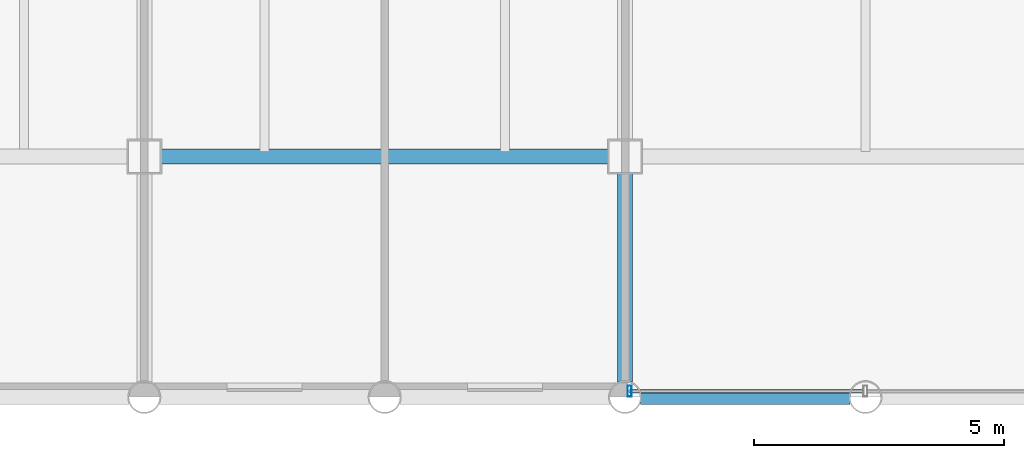
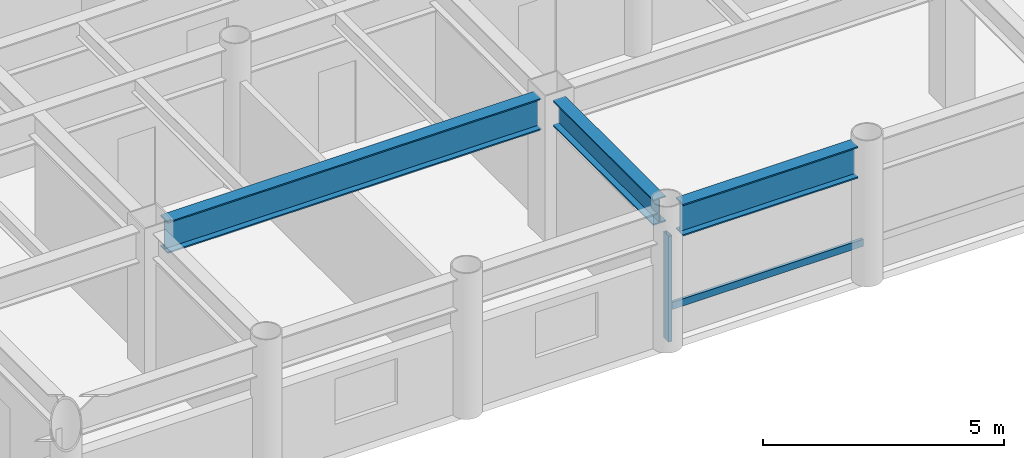
# One storey, part 2 of 19: 3 beams, 2 members, 1 element without a shape of its own.
"""IFC4 building model written with IfcOpenShell, lengths in metres."""

from ifc_helpers import new_model, si_unit, direction, frame, origin, origin_2d, place, context, subcontext, project, spatial, hollow_rectangle, i_section, extrude, material, layer, layer_set, material_profile, profile_set, type_object, element, aggregate, save


model = new_model("IFC4")

# Units and contexts
model_context = context("Model", 3, precision=1e-05, world=origin(), true_north=direction((0.0, 1.0)))
body_context = subcontext(model_context, "Body", "Model", "MODEL_VIEW")
ifc_project = project(units=[si_unit("LENGTHUNIT", "METRE"), si_unit("AREAUNIT", "SQUARE_METRE"), si_unit("VOLUMEUNIT", "CUBIC_METRE"), si_unit("PLANEANGLEUNIT", "RADIAN"), si_unit("MASSUNIT", "GRAM", prefix="KILO")], contexts=[model_context])

# Site, building, storey
site_placement = place(None, origin())
site = spatial("IfcSite", under=ifc_project, at=site_placement, CompositionType="ELEMENT")
building_placement = place(site_placement, origin())
building = spatial("IfcBuilding", under=site, at=building_placement, Name="Kallvorn Hotel Tower", CompositionType="ELEMENT")
storey_placement = place(building_placement, frame((0.0, 0.0, 147.0)))
storey = spatial("IfcBuildingStorey", under=building, at=storey_placement, Name="L36", CompositionType="ELEMENT", Elevation=147.0)

# Beams
ifc_material_1 = material(Name="Structural steel S355JR", Category="steel")
ifc_material_profile_1 = material_profile(ifc_material_1, i_section(OverallWidth=0.300048828125, OverallDepth=0.64990234375, WebThickness=0.01611328125, FlangeThickness=0.031005859375, at=origin_2d()), Name="HE 650 B")
ifc_profile_set_1 = profile_set([ifc_material_profile_1], Name="Structural steel S355JR")
beam_type_1 = type_object("IfcBeamType", Name="BM_HE650B", PredefinedType="BEAM", material=ifc_profile_set_1)
beam_1_placement = place(storey_placement, frame((-4.800048828125, -18.89501953125, 3.195068359375), z_axis=(0.0, 1.0, 0.0), x_axis=(-1.0, 0.0, 0.0)))
element("IfcBeam", 1, at=beam_1_placement, inside=storey, type_object=beam_type_1, Name="L37 Primary Y-Girder 106", PredefinedType="BEAM", context=body_context, shape_type="SweptSolid", body=[
    extrude(i_section(OverallWidth=0.300048828125, OverallDepth=0.64990234375, WebThickness=0.01611328125, FlangeThickness=0.031005859375, at=origin_2d()), origin(), (0.0, 0.0, 1.0), 4.169921875),
])
ifc_material_2 = material(Name="Structural steel S355JR", Category="steel")
ifc_material_profile_2 = material_profile(ifc_material_2, i_section(OverallWidth=0.300048828125, OverallDepth=0.800048828125, WebThickness=0.017578125, FlangeThickness=0.032958984375, at=origin_2d()), Name="HE 800 B")
ifc_profile_set_2 = profile_set([ifc_material_profile_2], Name="Structural steel S355JR")
beam_type_2 = type_object("IfcBeamType", Name="BM_HE800B", PredefinedType="BEAM", material=ifc_profile_set_2)
beam_2_placement = place(storey_placement, frame((-4.4951171875, -19.199951171875, 3.1201171875), z_axis=(1.0, 0.0, 0.0), x_axis=(0.0, 1.0, 0.0)))
element("IfcBeam", 2, at=beam_2_placement, inside=storey, type_object=beam_type_2, Name="L37 Primary X-Girder 06", PredefinedType="BEAM", context=body_context, shape_type="SweptSolid", body=[
    extrude(i_section(OverallWidth=0.300048828125, OverallDepth=0.800048828125, WebThickness=0.017578125, FlangeThickness=0.032958984375, at=origin_2d()), origin(), (0.0, 0.0, 1.0), 4.190185546875),
])
beam_3_placement = place(storey_placement, frame((-14.074951171875, -14.39990234375, 3.1201171875), z_axis=(1.0, 0.0, 0.0), x_axis=(0.0, 1.0, 0.0)))
element("IfcBeam", 3, at=beam_3_placement, inside=storey, type_object=beam_type_2, Name="L37 Primary X-Girder 17", PredefinedType="BEAM", context=body_context, shape_type="SweptSolid", body=[
    extrude(i_section(OverallWidth=0.300048828125, OverallDepth=0.800048828125, WebThickness=0.017578125, FlangeThickness=0.032958984375, at=origin_2d()), origin(), (0.0, 0.0, 1.0), 8.949951171875),
])

# Curtain wall, members
ifc_material_3 = material(Name="Thermally broken black-anodised aluminium AA 6063-T6", Category="aluminium")
ifc_layer = layer(ifc_material_3, 0.2099609375)
ifc_layer_set = layer_set([ifc_layer], Name="CW_SYS_4_HOTEL_MID")
curtain_wall_type = type_object("IfcCurtainWallType", Name="CW_SYS_4_HOTEL_MID", PredefinedType="USERDEFINED", material=ifc_layer_set)
curtain_wall_placement = place(storey_placement, origin())
curtain_wall = element("IfcCurtainWall", 4, at=curtain_wall_placement, inside=storey, type_object=curtain_wall_type, Name="L36 Dark-Glass Curtain Wall CW-L36-SC", ObjectType="UNITISED CURTAIN WALL", PredefinedType="USERDEFINED")
ifc_material_4 = material(Name="Thermally broken black-anodised aluminium AA 6063-T6", Category="aluminium")
ifc_material_profile_3 = material_profile(ifc_material_4, hollow_rectangle(XDim=0.080078125, YDim=0.219970703125, WallThickness=0.0048828125, at=origin_2d()), Name="MUL 220x80")
ifc_profile_set_3 = profile_set([ifc_material_profile_3], Name="Thermally broken black-anodised aluminium AA 6063-T6")
member_type_1 = type_object("IfcMemberType", Name="CW_MULLION_220x80", PredefinedType="MULLION", material=ifc_profile_set_3)
member_1_placement = place(storey_placement, frame((-4.7099609375, -19.080078125, 0.02001953125), z_axis=(0.0, 0.0, 1.0), x_axis=(1.0, 0.0, 0.0)))
member_1 = element("IfcMember", 5, at=member_1_placement, type_object=member_type_1, Name="CW-L36-SC Mullion 00", PredefinedType="MULLION", context=body_context, shape_type="SweptSolid", body=[
    extrude(hollow_rectangle(XDim=0.080078125, YDim=0.219970703125, WallThickness=0.0048828125, at=origin_2d()), origin(), (0.0, 0.0, 1.0), 2.679931640625),
])
ifc_material_5 = material(Name="Thermally broken black-anodised aluminium AA 6063-T6", Category="aluminium")
ifc_material_profile_4 = material_profile(ifc_material_5, hollow_rectangle(XDim=0.070068359375, YDim=0.179931640625, WallThickness=0.00390625, at=origin_2d()), Name="TRN 180x70")
ifc_profile_set_4 = profile_set([ifc_material_profile_4], Name="Thermally broken black-anodised aluminium AA 6063-T6")
member_type_2 = type_object("IfcMemberType", Name="CW_TRANSOM_180x70", PredefinedType="USERDEFINED", material=ifc_profile_set_4)
member_2_placement = place(storey_placement, frame((-4.7099609375, -19.080078125, 0.85009765625), z_axis=(1.0, 0.0, 0.0), x_axis=(0.0, 1.0, 0.0)))
member_2 = element("IfcMember", 6, at=member_2_placement, type_object=member_type_2, Name="CW-L36-SC Transom 00M", ObjectType="TRANSOM", PredefinedType="USERDEFINED", context=body_context, shape_type="SweptSolid", body=[
    extrude(hollow_rectangle(XDim=0.070068359375, YDim=0.179931640625, WallThickness=0.00390625, at=origin_2d()), origin(), (0.0, 0.0, 1.0), 4.669921875),
])
aggregate(curtain_wall, [member_1, member_2])

save(model, "model.ifc")
